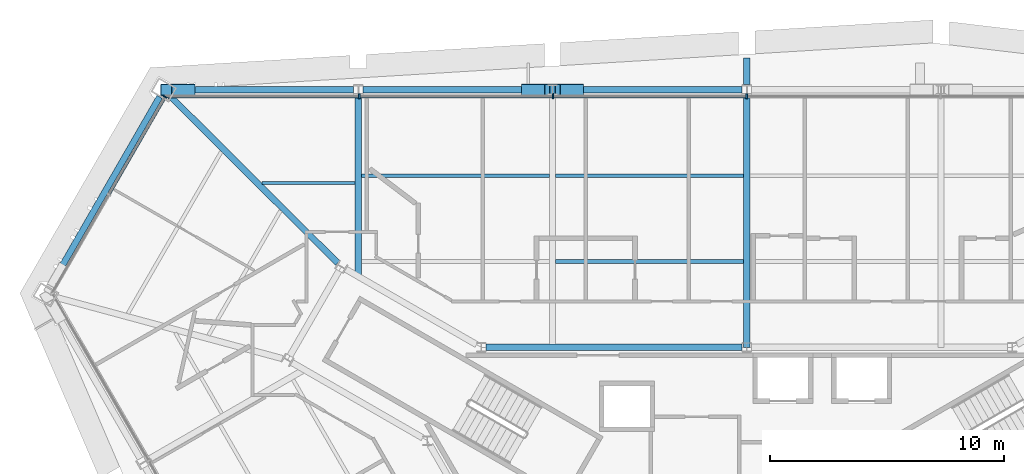
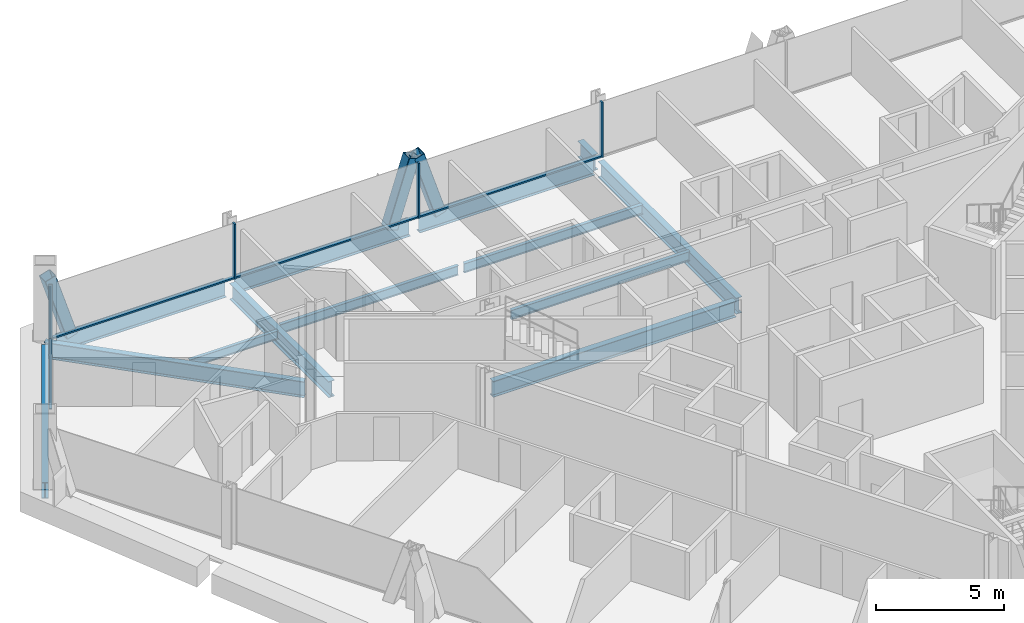
# One storey, part 7 of 17: 13 beams, 11 members, 2 elements without a shape of their own.
"""IFC4 building model written with IfcOpenShell, lengths in metres."""

from ifc_helpers import new_model, si_unit, direction, frame, origin, origin_2d, place, context, subcontext, project, spatial, rectangle, hollow_rectangle, i_section, extrude, material, material_profile, profile_set, type_object, element, aggregate, save


model = new_model("IFC4")

# Units and contexts
model_context = context("Model", 3, precision=1e-05, world=origin(), true_north=direction((0.0, 1.0)))
body_context = subcontext(model_context, "Body", "Model", "MODEL_VIEW")
ifc_project = project(units=[si_unit("LENGTHUNIT", "METRE"), si_unit("AREAUNIT", "SQUARE_METRE"), si_unit("VOLUMEUNIT", "CUBIC_METRE"), si_unit("PLANEANGLEUNIT", "RADIAN"), si_unit("MASSUNIT", "GRAM", prefix="KILO")], contexts=[model_context])

# Site, building, storey
site_placement = place(None, origin())
site = spatial("IfcSite", under=ifc_project, at=site_placement, CompositionType="ELEMENT")
building_placement = place(site_placement, origin())
building = spatial("IfcBuilding", under=site, at=building_placement, Name="Verrane Prism Tower", CompositionType="ELEMENT")
storey_placement = place(building_placement, frame((0.0, 0.0, 139.60009765625)))
storey = spatial("IfcBuildingStorey", under=building, at=storey_placement, Name="L34", CompositionType="ELEMENT", Elevation=139.60009765625)

# Beams
ifc_material_1 = material(Name="Steel A992", Category="steel")
ifc_material_profile_1 = material_profile(ifc_material_1, i_section(OverallWidth=0.2666015625, OverallDepth=0.76708984375, WebThickness=0.014892578125, FlangeThickness=0.023681640625, FilletRadius=0.0166015625, at=origin_2d()), Name="W30x124")
ifc_profile_set_1 = profile_set([ifc_material_profile_1], Name="Steel A992")
beam_type_1 = type_object("IfcBeamType", Name="Chamfer spandrel beam W30x124", PredefinedType="SPANDREL", material=ifc_profile_set_1)
beam_1_placement = place(storey_placement, frame((-25.0546875, 19.88671875, -0.543701171875), z_axis=(-0.499562619687, -0.866277778205, 0.0), x_axis=(0.866277778205, -0.499562619687, 0.0)))
element("IfcBeam", 1, at=beam_1_placement, inside=storey, type_object=beam_type_1, Name="Chamfer spandrel beam L34", PredefinedType="SPANDREL", context=body_context, shape_type="SweptSolid", body=[
    extrude(i_section(OverallWidth=0.2666015625, OverallDepth=0.76708984375, WebThickness=0.014892578125, FlangeThickness=0.023681640625, FilletRadius=0.0166015625, at=origin_2d()), origin(), (0.0, 0.0, 1.0), 9.38916015625),
])
ifc_material_2 = material(Name="Steel A992", Category="steel")
ifc_material_profile_2 = material_profile(ifc_material_2, i_section(OverallWidth=0.2666015625, OverallDepth=0.7568359375, WebThickness=0.013916015625, FlangeThickness=0.019287109375, FilletRadius=0.0166015625, at=origin_2d()), Name="W30x108")
ifc_profile_set_2 = profile_set([ifc_material_profile_2], Name="Steel A992")
beam_type_2 = type_object("IfcBeamType", Name="Core ring girder W30x108", PredefinedType="BEAM", material=ifc_profile_set_2)
beam_2_placement = place(storey_placement, frame((-0.20068359375, 9.199951171875, -0.628662109375), z_axis=(-1.0, 0.0, 0.0), x_axis=(0.0, -1.0, 0.0)))
element("IfcBeam", 2, at=beam_2_placement, inside=storey, type_object=beam_type_2, Name="Core ring girder L34", PredefinedType="BEAM", context=body_context, shape_type="SweptSolid", body=[
    extrude(i_section(OverallWidth=0.2666015625, OverallDepth=0.7568359375, WebThickness=0.013916015625, FlangeThickness=0.019287109375, FilletRadius=0.0166015625, at=origin_2d()), origin(), (0.0, 0.0, 1.0), 10.9287109375),
])
ifc_material_3 = material(Name="Steel A992", Category="steel")
ifc_material_profile_3 = material_profile(ifc_material_3, i_section(OverallWidth=0.2666015625, OverallDepth=0.76708984375, WebThickness=0.014892578125, FlangeThickness=0.023681640625, FilletRadius=0.0166015625, at=origin_2d()), Name="W30x124")
ifc_profile_set_3 = profile_set([ifc_material_profile_3], Name="Steel A992")
beam_type_3 = type_object("IfcBeamType", Name="Corner girder W30x124", PredefinedType="BEAM", material=ifc_profile_set_3)
beam_3_placement = place(storey_placement, frame((-24.87744140625, 20.1875, -0.603515625), z_axis=(0.708504451499, -0.705706342756, 0.0), x_axis=(0.705706342756, 0.708504451499, 0.0)))
element("IfcBeam", 3, at=beam_3_placement, inside=storey, type_object=beam_type_3, Name="Corner girder L34", PredefinedType="BEAM", context=body_context, shape_type="SweptSolid", body=[
    extrude(i_section(OverallWidth=0.2666015625, OverallDepth=0.76708984375, WebThickness=0.014892578125, FlangeThickness=0.023681640625, FilletRadius=0.0166015625, at=origin_2d()), origin(), (0.0, 0.0, 1.0), 10.47021484375),
])

# Members
ifc_material_4 = material(Name="Steel A1085 Grade A", Category="steel")
ifc_material_profile_4 = material_profile(ifc_material_4, hollow_rectangle(XDim=0.508056640625, YDim=0.508056640625, WallThickness=0.025390625, InnerFilletRadius=0.0126953125, OuterFilletRadius=0.0380859375, at=origin_2d()), Name="HSS20x20x1")
ifc_profile_set_4 = profile_set([ifc_material_profile_4], Name="Steel A1085 Grade A")
member_type_1 = type_object("IfcMemberType", Name="Facade brace HSS20x20x1", PredefinedType="BRACE", material=ifc_profile_set_4)
member_1_placement = place(storey_placement, frame((-7.20068359375, 20.18994140625, -0.24267578125), z_axis=(-0.305888994956, 0.0, 0.952067183955), x_axis=(0.0, -1.0, 0.0)))
element("IfcMember", 4, at=member_1_placement, inside=storey, type_object=member_type_1, Name="Facade brace N3 L34", PredefinedType="BRACE", context=body_context, shape_type="SweptSolid", body=[
    extrude(hollow_rectangle(XDim=0.508056640625, YDim=0.508056640625, WallThickness=0.025390625, InnerFilletRadius=0.0126953125, OuterFilletRadius=0.0380859375, at=origin_2d()), origin(), (0.0, 0.0, 1.0), 3.22216796875),
])
for number, where, z_axis, x_axis, name in (
    (5, (-9.379638671875, 20.18994140625, -0.24267578125), (0.304926985074, 0.0, 0.952375731407), (0.0, 1.0, 0.0), "Facade brace N4 L34"),
    (6, (-23.7890625, 20.18994140625, -0.24267578125), (-0.304789478782, 0.0, 0.952419746553), (0.0, -1.0, 0.0), "Facade brace N5 L34"),
):
    element("IfcMember", number, at=place(storey_placement, frame(where, z_axis=z_axis, x_axis=x_axis)), inside=storey, type_object=member_type_1, Name=name, PredefinedType="BRACE", context=body_context, shape_type="SweptSolid", body=[
        extrude(hollow_rectangle(XDim=0.508056640625, YDim=0.508056640625, WallThickness=0.025390625, InnerFilletRadius=0.0126953125, OuterFilletRadius=0.0380859375, at=origin_2d()), origin(), (0.0, 0.0, 1.0), 3.220947265625),
    ])

# Beams
ifc_material_5 = material(Name="Steel A992", Category="steel")
ifc_material_profile_5 = material_profile(ifc_material_5, i_section(OverallWidth=0.140380859375, OverallDepth=0.40380859375, WebThickness=0.007080078125, FlangeThickness=0.01123046875, FilletRadius=0.01025390625, at=origin_2d()), Name="W16x31")
ifc_profile_set_5 = profile_set([ifc_material_profile_5], Name="Steel A992")
beam_type_4 = type_object("IfcBeamType", Name="Floor beam W16x31", PredefinedType="BEAM", material=ifc_profile_set_5)
beam_4_placement = place(storey_placement, frame((-20.695068359375, 16.2099609375, -0.362060546875), z_axis=(1.0, 0.0, 0.0), x_axis=(0.0, 1.0, 0.0)))
element("IfcBeam", 7, at=beam_4_placement, inside=storey, type_object=beam_type_4, Name="Floor beam L34", PredefinedType="BEAM", context=body_context, shape_type="SweptSolid", body=[
    extrude(i_section(OverallWidth=0.140380859375, OverallDepth=0.40380859375, WebThickness=0.007080078125, FlangeThickness=0.01123046875, FilletRadius=0.01025390625, at=origin_2d()), origin(), (0.0, 0.0, 1.0), 3.981689453125),
])
ifc_material_6 = material(Name="Steel A992", Category="steel")
ifc_material_profile_6 = material_profile(ifc_material_6, i_section(OverallWidth=0.15234375, OverallDepth=0.449462890625, WebThickness=0.007568359375, FlangeThickness=0.0107421875, FilletRadius=0.01025390625, at=origin_2d()), Name="W18x35")
ifc_profile_set_6 = profile_set([ifc_material_profile_6], Name="Steel A992")
beam_type_5 = type_object("IfcBeamType", Name="Floor beam W18x35", PredefinedType="BEAM", material=ifc_profile_set_6)
for number, where, z_axis, x_axis, name in (
    (8, (-8.156494140625, 12.86328125, -0.385009765625), (1.0, 0.0, 0.0), (0.0, 1.0, 0.0), "Floor beam L34"),
    (9, (-8.156494140625, 16.526611328125, -0.385009765625), (1.0, 0.0, 0.0), (0.0, 1.0, 0.0), "Floor beam L34"),
    (10, (-16.446533203125, 16.526611328125, -0.385009765625), (1.0, 0.0, 0.0), (0.0, 1.0, 0.0), "Floor beam L34"),
):
    element("IfcBeam", number, at=place(storey_placement, frame(where, z_axis=z_axis, x_axis=x_axis)), inside=storey, type_object=beam_type_5, Name=name, PredefinedType="BEAM", context=body_context, shape_type="SweptSolid", body=[
        extrude(i_section(OverallWidth=0.15234375, OverallDepth=0.449462890625, WebThickness=0.007568359375, FlangeThickness=0.0107421875, FilletRadius=0.01025390625, at=origin_2d()), origin(), (0.0, 0.0, 1.0), 8.02294921875),
    ])

# Curtain wall, member
ifc_material_7 = material(Name="Aluminium framed insulated glazing", Category="aluminium")
curtain_wall_type_1 = type_object("IfcCurtainWallType", Name="Curtain wall CW-B 5600 module", PredefinedType="NOTDEFINED", material=ifc_material_7)
curtain_wall_1_placement = place(storey_placement, origin())
curtain_wall_1 = element("IfcCurtainWall", 11, at=curtain_wall_1_placement, inside=storey, type_object=curtain_wall_type_1, Name="Glazed curtain wall north-west corner L34", PredefinedType="NOTDEFINED")
ifc_material_8 = material(Name="Aluminium alloy 6063-T6", Category="aluminium")
ifc_material_profile_7 = material_profile(ifc_material_8, rectangle(XDim=0.159912109375, YDim=0.06005859375, at=origin_2d()), Name="Mullion 60x160 aluminium")
ifc_profile_set_7 = profile_set([ifc_material_profile_7], Name="Aluminium alloy 6063-T6")
member_type_2 = type_object("IfcMemberType", Name="Mullion 60x160 aluminium", PredefinedType="MULLION", material=ifc_profile_set_7)
member_2_placement = place(storey_placement, frame((-24.818115234375, 19.885009765625, 0.0), z_axis=(0.0, 0.0, 1.0), x_axis=(0.866027551544, -0.499996279953, 0.0)))
member_2 = element("IfcMember", 12, at=member_2_placement, type_object=member_type_2, Name="CW32.3 mullion 1", PredefinedType="MULLION", context=body_context, shape_type="SweptSolid", body=[
    extrude(rectangle(XDim=0.159912109375, YDim=0.06005859375, at=origin_2d()), origin(), (0.0, 0.0, 1.0), 2.61279296875),
])

# Curtain wall, members
ifc_material_9 = material(Name="Aluminium framed insulated glazing", Category="aluminium")
curtain_wall_type_2 = type_object("IfcCurtainWallType", Name="Curtain wall CW-A 8400 module", PredefinedType="NOTDEFINED", material=ifc_material_9)
curtain_wall_2_placement = place(storey_placement, origin())
curtain_wall_2 = element("IfcCurtainWall", 13, at=curtain_wall_2_placement, inside=storey, type_object=curtain_wall_type_2, Name="Glazed curtain wall north face L34", PredefinedType="NOTDEFINED")
ifc_material_10 = material(Name="Aluminium alloy 6063-T6", Category="aluminium")
ifc_material_profile_8 = material_profile(ifc_material_10, rectangle(XDim=0.199951171875, YDim=0.070068359375, at=origin_2d()), Name="Mullion 70x200 aluminium")
ifc_profile_set_8 = profile_set([ifc_material_profile_8], Name="Aluminium alloy 6063-T6")
member_type_3 = type_object("IfcMemberType", Name="Mullion 70x200 aluminium", PredefinedType="MULLION", material=ifc_profile_set_8)
member_3_placement = place(storey_placement, frame((0.0, 19.910888671875, 0.0), z_axis=(0.0, 0.0, 1.0), x_axis=(0.0, -1.0, 0.0)))
member_3 = element("IfcMember", 14, at=member_3_placement, type_object=member_type_3, Name="CW32.2 mullion 4", PredefinedType="MULLION", context=body_context, shape_type="SweptSolid", body=[
    extrude(rectangle(XDim=0.199951171875, YDim=0.070068359375, at=origin_2d()), origin(), (0.0, 0.0, 1.0), 2.61279296875),
])
member_4_placement = place(storey_placement, frame((-8.267578125, 19.910888671875, 0.0), z_axis=(0.0, 0.0, 1.0), x_axis=(0.0, -1.0, 0.0)))
member_4 = element("IfcMember", 15, at=member_4_placement, type_object=member_type_3, Name="CW32.2 mullion 5", PredefinedType="MULLION", context=body_context, shape_type="SweptSolid", body=[
    extrude(rectangle(XDim=0.199951171875, YDim=0.070068359375, at=origin_2d()), origin(), (0.0, 0.0, 1.0), 2.61279296875),
])
member_5_placement = place(storey_placement, frame((-16.535400390625, 19.910888671875, 0.0), z_axis=(0.0, 0.0, 1.0), x_axis=(0.0, -1.0, 0.0)))
member_5 = element("IfcMember", 16, at=member_5_placement, type_object=member_type_3, Name="CW32.2 mullion 6", PredefinedType="MULLION", context=body_context, shape_type="SweptSolid", body=[
    extrude(rectangle(XDim=0.199951171875, YDim=0.070068359375, at=origin_2d()), origin(), (0.0, 0.0, 1.0), 2.61279296875),
])

# Beams
ifc_material_11 = material(Name="Steel A992", Category="steel")
ifc_material_profile_9 = material_profile(ifc_material_11, i_section(OverallWidth=0.2666015625, OverallDepth=0.76708984375, WebThickness=0.014892578125, FlangeThickness=0.023681640625, FilletRadius=0.0166015625, at=origin_2d()), Name="W30x124")
ifc_profile_set_9 = profile_set([ifc_material_profile_9], Name="Steel A992")
beam_type_6 = type_object("IfcBeamType", Name="Radial girder W30x124", PredefinedType="BEAM", material=ifc_profile_set_9)
beam_5_placement = place(storey_placement, frame((0.0, 19.962646484375, -0.603515625), z_axis=(0.0, -1.0, 0.0), x_axis=(1.0, 0.0, 0.0)))
element("IfcBeam", 17, at=beam_5_placement, inside=storey, type_object=beam_type_6, Name="Radial girder L34", PredefinedType="BEAM", context=body_context, shape_type="SweptSolid", body=[
    extrude(i_section(OverallWidth=0.2666015625, OverallDepth=0.76708984375, WebThickness=0.014892578125, FlangeThickness=0.023681640625, FilletRadius=0.0166015625, at=origin_2d()), origin(), (0.0, 0.0, 1.0), 10.7626953125),
])
beam_6_placement = place(storey_placement, frame((-16.580078125, 19.962646484375, -0.603515625), z_axis=(0.0, -1.0, 0.0), x_axis=(1.0, 0.0, 0.0)))
element("IfcBeam", 18, at=beam_6_placement, inside=storey, type_object=beam_type_6, Name="Radial girder L34", PredefinedType="BEAM", context=body_context, shape_type="SweptSolid", body=[
    extrude(i_section(OverallWidth=0.2666015625, OverallDepth=0.76708984375, WebThickness=0.014892578125, FlangeThickness=0.023681640625, FilletRadius=0.0166015625, at=origin_2d()), origin(), (0.0, 0.0, 1.0), 7.737548828125),
])
beam_7_placement = place(storey_placement, frame((0.0, 20.413330078125, -0.603515625), z_axis=(0.0, 1.0, 0.0), x_axis=(-1.0, 0.0, 0.0)))
element("IfcBeam", 19, at=beam_7_placement, inside=storey, type_object=beam_type_6, Name="Cantilever girder L34", PredefinedType="BEAM", context=body_context, shape_type="SweptSolid", body=[
    extrude(i_section(OverallWidth=0.2666015625, OverallDepth=0.76708984375, WebThickness=0.014892578125, FlangeThickness=0.023681640625, FilletRadius=0.0166015625, at=origin_2d()), origin(), (0.0, 0.0, 1.0), 1.138427734375),
])
ifc_material_12 = material(Name="Steel A992", Category="steel")
ifc_material_profile_10 = material_profile(ifc_material_12, i_section(OverallWidth=0.2666015625, OverallDepth=0.7568359375, WebThickness=0.013916015625, FlangeThickness=0.019287109375, FilletRadius=0.0166015625, at=origin_2d()), Name="W30x108")
ifc_profile_set_10 = profile_set([ifc_material_profile_10], Name="Steel A992")
beam_type_7 = type_object("IfcBeamType", Name="Spandrel beam W30x108", PredefinedType="SPANDREL", material=ifc_profile_set_10)
for number, where, z_axis, x_axis, name in (
    (20, (-0.20947265625, 20.18994140625, -0.53857421875), (-1.0, 0.0, 0.0), (0.0, -1.0, 0.0), "Spandrel beam L34"),
    (21, (-8.49951171875, 20.18994140625, -0.53857421875), (-1.0, 0.0, 0.0), (0.0, -1.0, 0.0), "Spandrel beam L34"),
):
    element("IfcBeam", number, at=place(storey_placement, frame(where, z_axis=z_axis, x_axis=x_axis)), inside=storey, type_object=beam_type_7, Name=name, PredefinedType="SPANDREL", context=body_context, shape_type="SweptSolid", body=[
        extrude(i_section(OverallWidth=0.2666015625, OverallDepth=0.7568359375, WebThickness=0.013916015625, FlangeThickness=0.019287109375, FilletRadius=0.0166015625, at=origin_2d()), origin(), (0.0, 0.0, 1.0), 7.870849609375),
    ])
beam_8_placement = place(storey_placement, frame((-16.78955078125, 20.18994140625, -0.53857421875), z_axis=(-1.0, 0.0, 0.0), x_axis=(0.0, -1.0, 0.0)))
element("IfcBeam", 22, at=beam_8_placement, inside=storey, type_object=beam_type_7, Name="Spandrel beam L34", PredefinedType="SPANDREL", context=body_context, shape_type="SweptSolid", body=[
    extrude(i_section(OverallWidth=0.2666015625, OverallDepth=0.7568359375, WebThickness=0.013916015625, FlangeThickness=0.019287109375, FilletRadius=0.0166015625, at=origin_2d()), origin(), (0.0, 0.0, 1.0), 7.57080078125),
])

# Member
ifc_material_13 = material(Name="Aluminium alloy 6063-T6", Category="aluminium")
ifc_material_profile_11 = material_profile(ifc_material_13, rectangle(XDim=0.1201171875, YDim=0.06005859375, at=origin_2d()), Name="Transom 60x120 aluminium")
ifc_profile_set_11 = profile_set([ifc_material_profile_11], Name="Aluminium alloy 6063-T6")
member_type_4 = type_object("IfcMemberType", Name="Transom 60x120 aluminium", PredefinedType="USERDEFINED", material=ifc_profile_set_11)
member_6_placement = place(storey_placement, frame((-24.8330078125, 19.859130859375, 0.02978515625), z_axis=(-0.499984838248, -0.866034157249, 0.0), x_axis=(0.866034157249, -0.499984838248, 0.0)))
member_6 = element("IfcMember", 23, at=member_6_placement, type_object=member_type_4, Name="CW32.3 transom 1", ObjectType="TRANSOM", PredefinedType="USERDEFINED", context=body_context, shape_type="SweptSolid", body=[
    extrude(rectangle(XDim=0.1201171875, YDim=0.06005859375, at=origin_2d()), origin(), (0.0, 0.0, 1.0), 4.752197265625),
])

aggregate(curtain_wall_1, [member_2, member_6])

ifc_material_14 = material(Name="Aluminium alloy 6063-T6", Category="aluminium")
ifc_material_profile_12 = material_profile(ifc_material_14, rectangle(XDim=0.14990234375, YDim=0.070068359375, at=origin_2d()), Name="Transom 70x150 aluminium")
ifc_profile_set_12 = profile_set([ifc_material_profile_12], Name="Aluminium alloy 6063-T6")
member_type_5 = type_object("IfcMemberType", Name="Transom 70x150 aluminium", PredefinedType="USERDEFINED", material=ifc_profile_set_12)
member_7_placement = place(storey_placement, frame((-0.034912109375, 19.910888671875, 0.034912109375), z_axis=(-1.0, 0.0, 0.0), x_axis=(0.0, -1.0, 0.0)))
member_7 = element("IfcMember", 24, at=member_7_placement, type_object=member_type_5, Name="CW32.2 transom 4", ObjectType="TRANSOM", PredefinedType="USERDEFINED", context=body_context, shape_type="SweptSolid", body=[
    extrude(rectangle(XDim=0.14990234375, YDim=0.070068359375, at=origin_2d()), origin(), (0.0, 0.0, 1.0), 8.19775390625),
])

member_8_placement = place(storey_placement, frame((-8.302734375, 19.910888671875, 0.034912109375), z_axis=(-1.0, 0.0, 0.0), x_axis=(0.0, -1.0, 0.0)))
member_8 = element("IfcMember", 25, at=member_8_placement, type_object=member_type_5, Name="CW32.2 transom 5", ObjectType="TRANSOM", PredefinedType="USERDEFINED", context=body_context, shape_type="SweptSolid", body=[
    extrude(rectangle(XDim=0.14990234375, YDim=0.070068359375, at=origin_2d()), origin(), (0.0, 0.0, 1.0), 8.197509765625),
])

member_9_placement = place(storey_placement, frame((-16.5703125, 19.910888671875, 0.034912109375), z_axis=(-1.0, 0.0, 0.0), x_axis=(0.0, -1.0, 0.0)))
member_9 = element("IfcMember", 26, at=member_9_placement, type_object=member_type_5, Name="CW32.2 transom 6", ObjectType="TRANSOM", PredefinedType="USERDEFINED", context=body_context, shape_type="SweptSolid", body=[
    extrude(rectangle(XDim=0.14990234375, YDim=0.070068359375, at=origin_2d()), origin(), (0.0, 0.0, 1.0), 8.232666015625),
])

aggregate(curtain_wall_2, [member_3, member_4, member_5, member_7, member_8, member_9])

save(model, "model.ifc")
